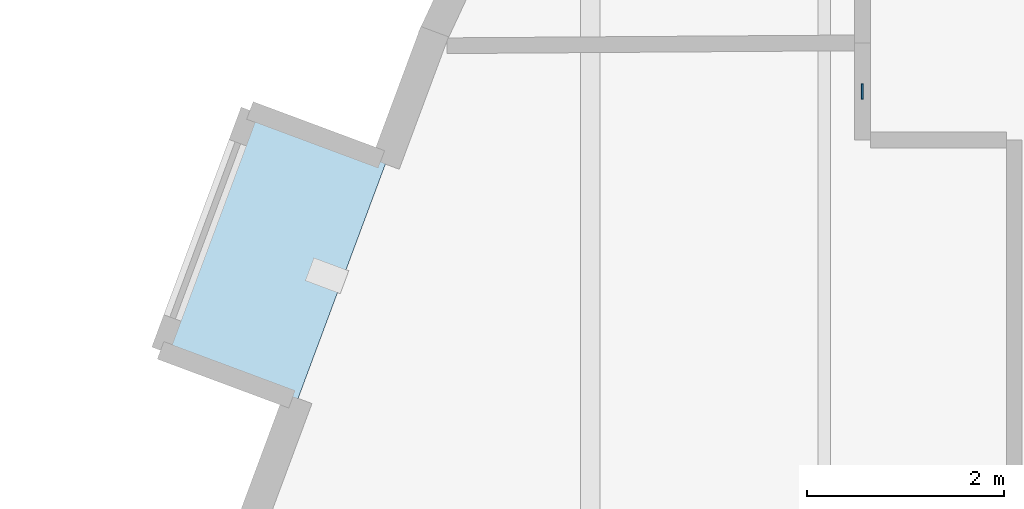
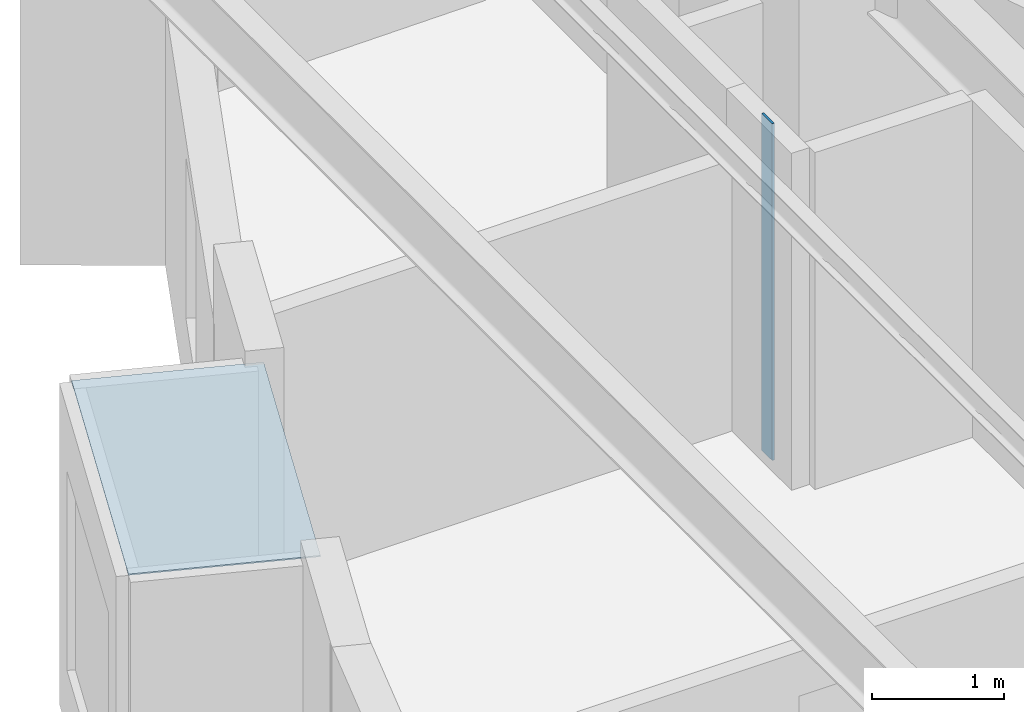
# One storey, part 3 of 13: 2 plates.
"""IFC4 building model written with IfcOpenShell, lengths in metres."""

from ifc_helpers import new_model, si_unit, direction, frame, origin, origin_2d, place, context, subcontext, project, spatial, polyline, rectangle, outline, extrude, material, layer, layer_set, type_object, element, save


model = new_model("IFC4")

# Units and contexts
model_context = context("Model", 3, precision=1e-05, world=origin(), true_north=direction((0.0, 1.0)))
body_context = subcontext(model_context, "Body", "Model", "MODEL_VIEW")
ifc_project = project(units=[si_unit("LENGTHUNIT", "METRE"), si_unit("AREAUNIT", "SQUARE_METRE"), si_unit("VOLUMEUNIT", "CUBIC_METRE"), si_unit("PLANEANGLEUNIT", "RADIAN"), si_unit("MASSUNIT", "GRAM", prefix="KILO")], contexts=[model_context])

# Site, building, storey
site_placement = place(None, origin())
site = spatial("IfcSite", under=ifc_project, at=site_placement, CompositionType="ELEMENT")
building_placement = place(site_placement, origin())
building = spatial("IfcBuilding", under=site, at=building_placement, Name="Miruveldt Soraemaru", CompositionType="ELEMENT")
storey_placement = place(building_placement, frame((0.0, 0.0, 49.60009765625)))
storey = spatial("IfcBuildingStorey", under=building, at=storey_placement, Name="L13", CompositionType="ELEMENT", Elevation=49.60009765625)

# Plates
ifc_material_1 = material(Name="Anodised aluminium EN AW-6063 T6", Category="aluminium")
ifc_layer_1 = layer(ifc_material_1, 0.02001953125, Name="Anodised aluminium EN AW-6063 T6", Category="aluminium")
ifc_layer_set_1 = layer_set([ifc_layer_1], Name="Anodised aluminium EN AW-6063 T6")
plate_type_1 = type_object("IfcPlateType", Name="PLT-PART-TRIM", PredefinedType="SHEET", material=ifc_layer_set_1)
plate_1_placement = place(storey_placement, frame((29.408935546875, 48.22412109375, 0.0), z_axis=(0.0, 0.0, 1.0), x_axis=(0.0, -1.0, 0.0)))
element("IfcPlate", 1, at=plate_1_placement, inside=storey, type_object=plate_type_1, Name="L13 Partition Step Corner Trim Plate 045", PredefinedType="SHEET", context=body_context, shape_type="SweptSolid", body=[
    extrude(rectangle(XDim=0.159912109375, YDim=0.02001953125, at=origin_2d()), origin(), (0.0, 0.0, 1.0), 3.125),
])
ifc_material_2 = material(Name="Standing-seam titanium-zinc sheet", Category="aluminium")
ifc_layer_2 = layer(ifc_material_2, 0.011962890625, Name="Standing-seam titanium-zinc sheet", Category="aluminium")
ifc_layer_set_2 = layer_set([ifc_layer_2], Name="Standing-seam titanium-zinc sheet")
plate_type_2 = type_object("IfcPlateType", Name="PLT-ZINC-12", PredefinedType="SHEET", material=ifc_layer_set_2)
plate_2_placement = place(storey_placement, frame((0.0, 0.0, 2.974853515625)))
element("IfcPlate", 2, at=plate_2_placement, inside=storey, type_object=plate_type_2, Name="L13 Bay Window Zinc Hood Sheet 1", PredefinedType="SHEET", context=body_context, shape_type="SweptSolid", body=[
    extrude(outline(polyline([(24.5732421875, 47.513916015625), (23.66552734375, 45.077392578125), (22.27880859375, 45.593994140625), (23.186279296875, 48.030517578125), (24.5732421875, 47.513916015625)])), origin(), (0.0, 0.0, 1.0), 0.011962890625),
])

save(model, "model.ifc")
